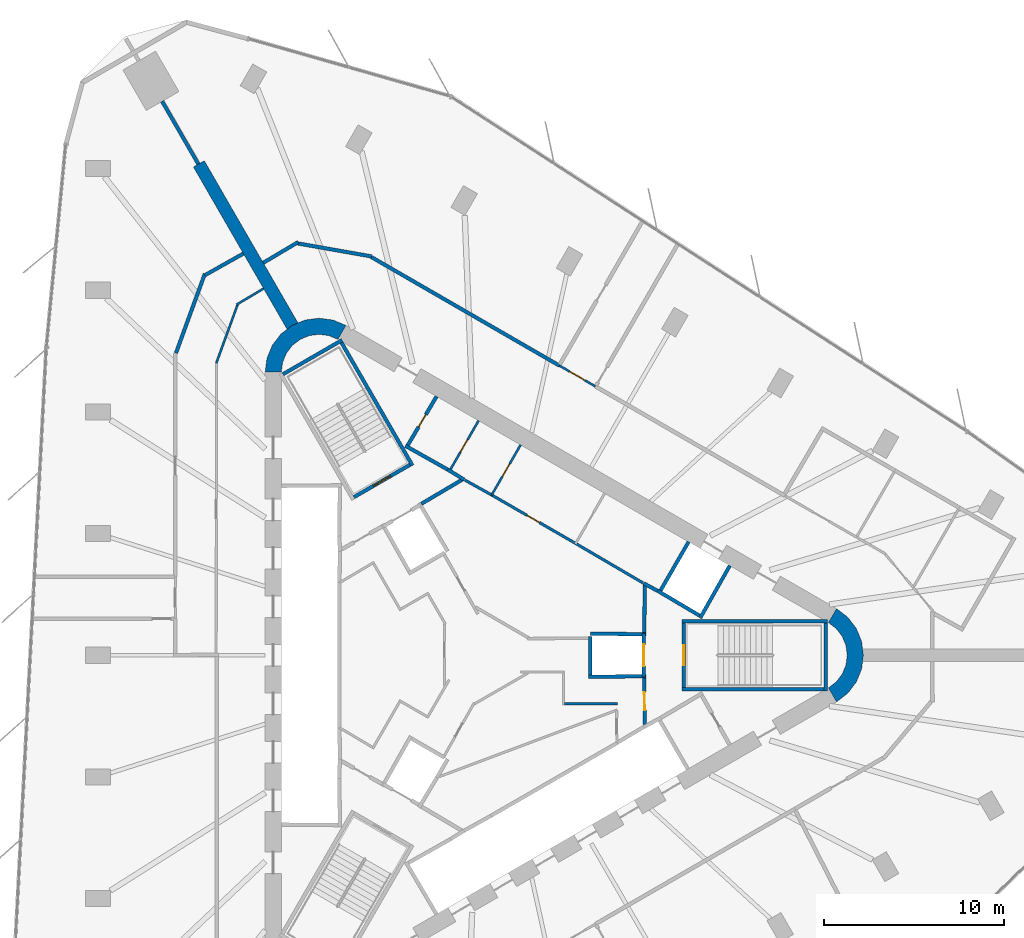
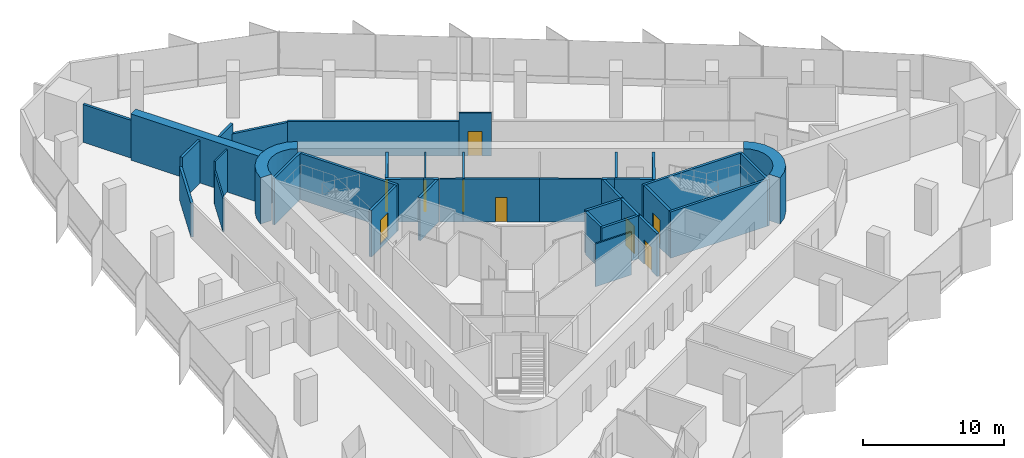
# One storey, part 11 of 14: 39 walls, 9 doors, 9 openings.
"""IFC4 building model written with IfcOpenShell, lengths in metres."""

import ifcopenshell
import ifcopenshell.guid

model = None  # the IFC model being written
_history = None  # IfcOwnerHistory: only IFC2X3 demands one
_inside = {}  # id of a spatial element -> (the spatial element, [elements in it])
_under = {}  # id of a project, library or spatial element -> (it, [spatial elements below it])
_declared = {}  # id of a project -> (the project, [libraries it declares])
_typed = {}  # id of a type object -> (the type object, [elements of that type])
_made_of = {}  # id of a material, layer set ... -> (it, [elements and type objects made of it])


def new_model(schema):
    """Start an empty IFC model of exactly this schema.

    Asked for "IFC4X3", IfcOpenShell would pick the latest addendum, in which some entities
    have other attributes; the version numbers below select the first issue.
    IFC2X3 requires an IfcOwnerHistory on every rooted entity: one is made here for all.
    """
    global model, _history
    if schema == "IFC4X3":
        model = ifcopenshell.file(schema_version=(4, 3, 0, 0))
    else:
        model = ifcopenshell.file(schema=schema)
    _inside.clear()
    _under.clear()
    _declared.clear()
    _typed.clear()
    _made_of.clear()
    _history = None
    if model.schema == "IFC2X3":
        org = make("IfcOrganization", Name="unknown")
        user = make(
            "IfcPersonAndOrganization",
            ThePerson=make("IfcPerson", FamilyName="unknown"),
            TheOrganization=org,
        )
        app = make(
            "IfcApplication",
            ApplicationDeveloper=org,
            Version="unknown",
            ApplicationFullName="unknown",
            ApplicationIdentifier="unknown",
        )
        _history = make(
            "IfcOwnerHistory",
            OwningUser=user,
            OwningApplication=app,
            ChangeAction="ADDED",
            CreationDate=0,
        )
    return model


def make(cls, **values):
    """One entity of the class cls with the attributes given. An attribute that is None is left unset."""
    return model.create_entity(
        cls, **{name: value for name, value in values.items() if value is not None}
    )


def rooted(cls, **values):
    """An entity with a GlobalId (a new one), such as an element, a storey or a relation."""
    return make(cls, GlobalId=ifcopenshell.guid.new(), OwnerHistory=_history, **values)


def si_unit(unit_type, name, prefix=None):
    """IfcSIUnit, for example si_unit("LENGTHUNIT", "METRE", prefix="MILLI")."""
    return make("IfcSIUnit", UnitType=unit_type, Prefix=prefix, Name=name)


def assignment(units):
    """IfcUnitAssignment: the units of a project."""
    return None if units is None else make("IfcUnitAssignment", Units=units)


def point(xyz):
    """IfcCartesianPoint."""
    return None if xyz is None else make("IfcCartesianPoint", Coordinates=xyz)


def direction(xyz):
    """IfcDirection."""
    return None if xyz is None else make("IfcDirection", DirectionRatios=xyz)


def frame(location, z_axis=None, x_axis=None):
    """IfcAxis2Placement3D, a coordinate frame: its origin and axes. An axis left out is left unset."""
    return make(
        "IfcAxis2Placement3D",
        Location=point(location),
        Axis=direction(z_axis),
        RefDirection=direction(x_axis),
    )


def frame_2d(location, x_axis=None):
    """IfcAxis2Placement2D, a coordinate frame in the plane: its origin and x axis."""
    return make(
        "IfcAxis2Placement2D", Location=point(location), RefDirection=direction(x_axis)
    )


def origin():
    """The frame at (0, 0, 0) with its axes left unset."""
    return frame((0.0, 0.0, 0.0))


def place(relative_to, where):
    """IfcLocalPlacement: puts the frame where relative to a parent placement (None: the world)."""
    return make(
        "IfcLocalPlacement", PlacementRelTo=relative_to, RelativePlacement=where
    )


def context(
    kind, dimensions, precision=None, world=None, true_north=None, identifier=None
):
    """IfcGeometricRepresentationContext, for example the 3D "Model" context."""
    return make(
        "IfcGeometricRepresentationContext",
        ContextIdentifier=identifier,
        ContextType=kind,
        CoordinateSpaceDimension=dimensions,
        Precision=precision,
        WorldCoordinateSystem=world,
        TrueNorth=true_north,
    )


def subcontext(parent, identifier, kind, view, scale=None):
    """IfcGeometricRepresentationSubContext, for example "Body" below "Model"."""
    return make(
        "IfcGeometricRepresentationSubContext",
        ContextIdentifier=identifier,
        ContextType=kind,
        ParentContext=parent,
        TargetScale=scale,
        TargetView=view,
    )


def project(units=None, contexts=None):
    """IfcProject with its units and contexts."""
    return rooted(
        "IfcProject",
        Name="project",
        RepresentationContexts=contexts,
        UnitsInContext=assignment(units),
    )


def spatial(cls, under=None, at=None, **own):
    """A site, building, storey or space (cls), placed at a placement, below another one or the project."""
    s = rooted(cls, ObjectPlacement=at, **own)
    if under is not None:
        _under.setdefault(under.id(), (under, []))[1].append(s)
    return s


def polyline(points):
    """IfcPolyline through the points."""
    return make("IfcPolyline", Points=[point(p) for p in points])


def profile(cls, at=None, kind="AREA", **sizes):
    """A parametric profile (cls). Its sizes go by their IFC names, for example OverallWidth=200.0."""
    return make(cls, ProfileType=kind, Position=at, **sizes)


def rectangle(**sizes):
    """IfcRectangleProfileDef."""
    return profile("IfcRectangleProfileDef", **sizes)


def outline(outer, holes=None, kind="AREA"):
    """IfcArbitraryClosedProfileDef: a profile drawn as a closed curve; with holes, ...WithVoids."""
    if holes is None:
        return make("IfcArbitraryClosedProfileDef", ProfileType=kind, OuterCurve=outer)
    return make(
        "IfcArbitraryProfileDefWithVoids",
        ProfileType=kind,
        OuterCurve=outer,
        InnerCurves=holes,
    )


def extrude(swept, where, along, depth):
    """IfcExtrudedAreaSolid: the profile swept, set in the frame where, extruded along a direction by depth."""
    return make(
        "IfcExtrudedAreaSolid",
        SweptArea=swept,
        Position=where,
        ExtrudedDirection=direction(along),
        Depth=depth,
    )


def shape(context_of_items, identifier, shape_type, items):
    """IfcShapeRepresentation: the items that make up one representation, for example the "Body"."""
    return make(
        "IfcShapeRepresentation",
        ContextOfItems=context_of_items,
        RepresentationIdentifier=identifier,
        RepresentationType=shape_type,
        Items=items,
    )


def material(Name=None, Category=None):
    """IfcMaterial."""
    return make("IfcMaterial", Name=Name, Category=Category)


def layer(
    of_material, thickness, ventilated=None, Name=None, Category=None, Priority=None
):
    """IfcMaterialLayer: one layer of a wall or slab, of a material (None: an air gap)."""
    return make(
        "IfcMaterialLayer",
        Material=of_material,
        LayerThickness=thickness,
        IsVentilated=ventilated,
        Name=Name,
        Category=Category,
        Priority=Priority,
    )


def layer_set(layers, Name=None):
    """IfcMaterialLayerSet."""
    return make("IfcMaterialLayerSet", MaterialLayers=layers, LayerSetName=Name)


def made_of(thing, what):
    """Note that an element or type object is made of a material, layer set ...; save() writes the relation."""
    if what is not None:
        _made_of.setdefault(what.id(), (what, []))[1].append(thing)
    return thing


def type_object(cls, material=None, **own):
    """A type object (cls), such as IfcWallType, which elements share."""
    return made_of(rooted(cls, **own), material)


def element(
    cls,
    number,
    at=None,
    inside=None,
    cuts=None,
    type_object=None,
    material=None,
    context=None,
    identifier="Body",
    shape_type=None,
    held_by="IfcProductDefinitionShape",
    body=None,
    shapes=None,
    **own,
):
    """One element of the class cls, such as IfcWall. Its Tag is "e" and its number.

    at: its placement. inside: the storey or other place that contains it. cuts: it is an
    opening in that element (IfcRelVoidsElement). A single representation is given by context,
    identifier, shape_type and body (its items); several are given by shapes. held_by: the class
    of the entity that holds the representations. save() writes the other relations.
    """
    e = rooted(cls, Tag="e%d" % number, ObjectPlacement=at, **own)
    if body is not None:
        shapes = [shape(context, identifier, shape_type, body)]
    if shapes is not None:
        e.Representation = make(held_by, Representations=shapes)
    if inside is not None:
        _inside.setdefault(inside.id(), (inside, []))[1].append(e)
    if cuts is not None:
        rooted(
            "IfcRelVoidsElement", RelatingBuildingElement=cuts, RelatedOpeningElement=e
        )
    if type_object is not None:
        _typed.setdefault(type_object.id(), (type_object, []))[1].append(e)
    return made_of(e, material)


def fill(opening, filler):
    """IfcRelFillsElement: the door or window that sits in an opening."""
    return rooted(
        "IfcRelFillsElement",
        RelatingOpeningElement=opening,
        RelatedBuildingElement=filler,
    )


def aggregate(whole, parts):
    """IfcRelAggregates: a whole, such as a stair, and the parts it consists of."""
    return rooted("IfcRelAggregates", RelatingObject=whole, RelatedObjects=parts)


def save(model, path):
    """Write the relations noted so far, then the file.

    IfcRelAggregates (storeys below a building ...), IfcRelContainedInSpatialStructure (elements
    in a storey), IfcRelDefinesByType, IfcRelAssociatesMaterial and IfcRelDeclares: one each for
    every whole, place, type object, material and project.
    """
    for whole, parts in _under.values():
        aggregate(whole, parts)
    for where, things in _inside.values():
        rooted(
            "IfcRelContainedInSpatialStructure",
            RelatedElements=things,
            RelatingStructure=where,
        )
    for kind, things in _typed.values():
        rooted("IfcRelDefinesByType", RelatedObjects=things, RelatingType=kind)
    for what, things in _made_of.values():
        rooted("IfcRelAssociatesMaterial", RelatedObjects=things, RelatingMaterial=what)
    for by, libraries in _declared.values():
        rooted("IfcRelDeclares", RelatingContext=by, RelatedDefinitions=libraries)
    model.write(path)


model = new_model("IFC4")

# Units and contexts
model_context = context("Model", 3, precision=1e-05, world=origin(), true_north=direction((0.0, 1.0)))
body_context = subcontext(model_context, "Body", "Model", "MODEL_VIEW")
ifc_project = project(units=[si_unit("LENGTHUNIT", "METRE"), si_unit("AREAUNIT", "SQUARE_METRE"), si_unit("VOLUMEUNIT", "CUBIC_METRE"), si_unit("PLANEANGLEUNIT", "RADIAN"), si_unit("MASSUNIT", "GRAM", prefix="KILO")], contexts=[model_context])

# Site, building, storey
site_placement = place(None, origin())
site = spatial("IfcSite", under=ifc_project, at=site_placement, CompositionType="ELEMENT")
building_placement = place(site_placement, origin())
building = spatial("IfcBuilding", under=site, at=building_placement, Name="Tanit Gate Tower", CompositionType="ELEMENT")
storey_placement = place(building_placement, frame((0.0, 0.0, 261.199951171875)))
storey = spatial("IfcBuildingStorey", under=building, at=storey_placement, Name="L59", CompositionType="ELEMENT", Elevation=261.199951171875)

# Walls
ifc_material_1 = material(Name="Concrete C50/60", Category="concrete")
ifc_layer_1 = layer(ifc_material_1, 0.699951171875)
ifc_layer_set_1 = layer_set([ifc_layer_1], Name="BUTTRESS FIN 700 C50/60")
wall_type_1 = type_object("IfcWallType", Name="BUTTRESS FIN 700 C50/60", PredefinedType="SHEAR", material=ifc_layer_set_1)
wall_1_placement = place(storey_placement, frame((-10.574951171875, 18.31640625, 0.0), z_axis=(0.0, 0.0, 1.0), x_axis=(-0.500010108608, 0.866019567498, 0.0)))
element("IfcWall", 1, at=wall_1_placement, inside=storey, type_object=wall_type_1, Name="BUTTRESS FIN", PredefinedType="SHEAR", context=body_context, shape_type="SweptSolid", body=[
    extrude(rectangle(XDim=10.432373046875, YDim=0.699951171875, at=frame_2d((5.21630859375, 0.0))), origin(), (0.0, 0.0, 1.0), 4.0),
])
ifc_material_2 = material(Name="Concrete C50/60", Category="concrete")
ifc_layer_2 = layer(ifc_material_2, 0.89990234375)
ifc_layer_set_2 = layer_set([ifc_layer_2], Name="CORE WALL 900 C50/60")
wall_type_2 = type_object("IfcWallType", Name="CORE WALL 900 C50/60", PredefinedType="SHEAR", material=ifc_layer_set_2)
wall_2_placement = place(storey_placement, origin())
element("IfcWall", 2, at=wall_2_placement, inside=storey, type_object=wall_type_2, Name="CORE WALL CORNER", PredefinedType="SHEAR", context=body_context, shape_type="SweptSolid", body=[
    extrude(outline(polyline([(-7.60009765625, 18.359619140625), (-8.323486328125, 18.659423828125), (-9.10009765625, 18.76171875), (-9.87646484375, 18.659423828125), (-10.60009765625, 18.359619140625), (-11.22119140625, 17.883056640625), (-11.697998046875, 17.26171875), (-11.997802734375, 16.5380859375), (-12.10009765625, 15.76171875), (-11.199951171875, 15.76171875), (-11.12841796875, 16.30517578125), (-10.918701171875, 16.811767578125), (-10.5849609375, 17.24658203125), (-10.14990234375, 17.580322265625), (-9.6435546875, 17.7900390625), (-9.10009765625, 17.86181640625), (-8.556396484375, 17.7900390625), (-8.050048828125, 17.580322265625), (-7.60009765625, 18.359619140625)])), origin(), (0.0, 0.0, 1.0), 4.0),
])
wall_3_placement = place(storey_placement, origin())
element("IfcWall", 3, at=wall_3_placement, inside=storey, type_object=wall_type_2, Name="CORE WALL CORNER", PredefinedType="SHEAR", context=body_context, shape_type="SweptSolid", body=[
    extrude(outline(polyline([(19.699951171875, -2.59814453125), (20.3212890625, -2.121337890625), (20.798095703125, -1.5), (21.097900390625, -0.776611328125), (21.199951171875, 0.0), (21.097900390625, 0.776611328125), (20.798095703125, 1.5), (20.3212890625, 2.121337890625), (19.699951171875, 2.59814453125), (19.25, 1.818603515625), (19.684814453125, 1.48486328125), (20.018798828125, 1.050048828125), (20.228515625, 0.54345703125), (20.300048828125, 0.0), (20.228515625, -0.54345703125), (20.018798828125, -1.050048828125), (19.684814453125, -1.48486328125), (19.25, -1.818603515625), (19.699951171875, -2.59814453125)])), origin(), (0.0, 0.0, 1.0), 4.0),
])
ifc_material_3 = material(Name="Fire-rated gypsum board partition")
ifc_layer_3 = layer(ifc_material_3, 0.199951171875)
ifc_layer_set_3 = layer_set([ifc_layer_3], Name="INT-WALL-COMPARTMENT")
wall_type_3 = type_object("IfcWallType", Name="INT-WALL-COMPARTMENT", PredefinedType="PARTITIONING", material=ifc_layer_set_3)
wall_4_placement = place(storey_placement, frame((8.97412109375, 3.998779296875, 0.0), z_axis=(0.0, 0.0, 1.0), x_axis=(0.880917147855, -0.473270513147, 0.0)))
element("IfcWall", 4, at=wall_4_placement, inside=storey, type_object=wall_type_3, Name="Wall Compartment W051", PredefinedType="PARTITIONING", context=body_context, shape_type="SweptSolid", body=[
    extrude(rectangle(XDim=0.8779296875, YDim=0.199951171875, at=frame_2d((0.43896484375, 0.0))), origin(), (0.0, 0.0, 1.0), 3.699951171875),
])
wall_5_placement = place(storey_placement, frame((-1.940673828125, 10.338623046875, 0.0), z_axis=(0.0, 0.0, 1.0), x_axis=(0.850216889117, -0.526432561171, 0.0)))
element("IfcWall", 5, at=wall_5_placement, inside=storey, type_object=wall_type_3, Name="Wall Compartment W056", PredefinedType="PARTITIONING", context=body_context, shape_type="SweptSolid", body=[
    extrude(rectangle(XDim=1.078369140625, YDim=0.199951171875, at=frame_2d((0.5390625, 0.0))), origin(), (0.0, 0.0, 1.0), 3.699951171875),
])
wall_6_placement = place(storey_placement, frame((-4.296142578125, 11.658935546875, 0.0), z_axis=(0.0, 0.0, 1.0), x_axis=(0.871534483978, -0.490334215854, 0.0)))
element("IfcWall", 6, at=wall_6_placement, inside=storey, type_object=wall_type_3, Name="Wall Compartment W058", PredefinedType="PARTITIONING", context=body_context, shape_type="SweptSolid", body=[
    extrude(rectangle(XDim=2.7001953125, YDim=0.199951171875, at=frame_2d((1.35009765625, 0.0))), origin(), (0.0, 0.0, 1.0), 3.699951171875),
])

# Wall, opening, door
wall_7_placement = place(storey_placement, frame((-2.557861328125, 14.409423828125, 0.0), z_axis=(0.0, 0.0, 1.0), x_axis=(-0.508018930956, -0.861345903683, 0.0)))
wall_7 = element("IfcWall", 7, at=wall_7_placement, inside=storey, type_object=wall_type_3, Name="Wall Compartment W059", PredefinedType="PARTITIONING", context=body_context, shape_type="SweptSolid", body=[
    extrude(rectangle(XDim=3.150146484375, YDim=0.199951171875, at=frame_2d((1.5751953125, 0.0))), origin(), (0.0, 0.0, 1.0), 3.699951171875),
])
opening_1_placement = place(wall_7_placement, frame((1.175048828125, 0.0, 0.0)))
opening_1 = element("IfcOpeningElement", 8, at=opening_1_placement, cuts=wall_7, Name="Opening R08-S16-16", PredefinedType="OPENING", context=body_context, shape_type="SweptSolid", body=[
    extrude(rectangle(XDim=0.800048828125, YDim=2.10009765625, at=frame_2d((0.39990234375, 1.050048828125))), frame((0.0, 0.10986328125, 0.0), z_axis=(0.0, -1.0, 0.0), x_axis=(1.0, 0.0, 0.0)), (0.0, 0.0, 1.0), 0.219970703125),
])
ifc_material_4 = material(Name="Timber door leaf", Category="wood")
door_type_1 = type_object("IfcDoorType", Name="INT-DOOR-RISER-800", OperationType="NOTDEFINED", PredefinedType="USERDEFINED", material=ifc_material_4)
door_1_placement = place(opening_1_placement, origin())
door_1 = element("IfcDoor", 9, at=door_1_placement, inside=storey, type_object=door_type_1, Name="Door R08-S16-16", ObjectType="FIRE DOOR", OperationType="SINGLE_SWING_LEFT", OverallHeight=2.10009765625, OverallWidth=0.800048828125, PredefinedType="USERDEFINED", context=body_context, shape_type="SweptSolid", body=[
    extrude(rectangle(XDim=0.800048828125, YDim=2.10009765625, at=frame_2d((0.39990234375, 1.050048828125))), frame((0.0, 0.02490234375, 0.0), z_axis=(0.0, -1.0, 0.0), x_axis=(1.0, 0.0, 0.0)), (0.0, 0.0, 1.0), 0.050048828125),
])
fill(opening_1, door_1)

# Wall
wall_8_placement = place(storey_placement, frame((9.0009765625, 1.27001953125, 0.0), z_axis=(0.0, 0.0, 1.0), x_axis=(0.01074821465, 0.999942236273, 0.0)))
element("IfcWall", 10, at=wall_8_placement, inside=storey, type_object=wall_type_3, Name="Wall Compartment W062", PredefinedType="PARTITIONING", context=body_context, shape_type="SweptSolid", body=[
    extrude(rectangle(XDim=2.725830078125, YDim=0.199951171875, at=frame_2d((1.36279296875, 0.0))), origin(), (0.0, 0.0, 1.0), 3.699951171875),
])

# Wall, opening, door
wall_9_placement = place(storey_placement, frame((9.02880859375, -3.850830078125, 0.0), z_axis=(0.0, 0.0, 1.0), x_axis=(-0.010783593937, 0.99994185536, 0.0)))
wall_9 = element("IfcWall", 11, at=wall_9_placement, inside=storey, type_object=wall_type_3, Name="Wall Compartment W063", PredefinedType="PARTITIONING", context=body_context, shape_type="SweptSolid", body=[
    extrude(rectangle(XDim=2.5810546875, YDim=0.199951171875, at=frame_2d((1.29052734375, 0.0))), origin(), (0.0, 0.0, 1.0), 3.699951171875),
])
opening_2_placement = place(wall_9_placement, frame((0.79052734375, 0.0, 0.0)))
opening_2 = element("IfcOpeningElement", 12, at=opening_2_placement, cuts=wall_9, Name="Opening F10-S16-02", PredefinedType="OPENING", context=body_context, shape_type="SweptSolid", body=[
    extrude(rectangle(XDim=1.0, YDim=2.10009765625, at=frame_2d((0.5, 1.050048828125))), frame((0.0, 0.10986328125, 0.0), z_axis=(0.0, -1.0, 0.0), x_axis=(1.0, 0.0, 0.0)), (0.0, 0.0, 1.0), 0.219970703125),
])
ifc_material_5 = material(Name="Fire-rated steel door leaf", Category="steel")
door_type_2 = type_object("IfcDoorType", Name="INT-DOOR-FIRE-1000", OperationType="NOTDEFINED", PredefinedType="USERDEFINED", material=ifc_material_5)
door_2_placement = place(opening_2_placement, origin())
door_2 = element("IfcDoor", 13, at=door_2_placement, inside=storey, type_object=door_type_2, Name="Door F10-S16-02", ObjectType="FIRE DOOR", OperationType="SINGLE_SWING_RIGHT", OverallHeight=2.10009765625, OverallWidth=1.0, PredefinedType="USERDEFINED", context=body_context, shape_type="SweptSolid", body=[
    extrude(rectangle(XDim=1.0, YDim=2.10009765625, at=frame_2d((0.5, 1.050048828125))), frame((0.0, 0.02490234375, 0.0), z_axis=(0.0, -1.0, 0.0), x_axis=(1.0, 0.0, 0.0)), (0.0, 0.0, 1.0), 0.050048828125),
])
fill(opening_2, door_2)

# Walls
wall_10_placement = place(storey_placement, frame((-1.0556640625, 9.81787109375, 0.0), z_axis=(0.0, 0.0, 1.0), x_axis=(-0.860599924646, -0.509281621207, 0.0)))
element("IfcWall", 14, at=wall_10_placement, inside=storey, type_object=wall_type_3, Name="Wall Compartment W064", PredefinedType="PARTITIONING", context=body_context, shape_type="SweptSolid", body=[
    extrude(rectangle(XDim=2.724853515625, YDim=0.199951171875, at=frame_2d((1.3623046875, 0.0))), origin(), (0.0, 0.0, 1.0), 3.699951171875),
])
wall_11_placement = place(storey_placement, frame((-15.456298828125, 21.238525390625, 0.0), z_axis=(0.0, 0.0, 1.0), x_axis=(-0.34205546997, -0.939679762187, 0.0)))
element("IfcWall", 15, at=wall_11_placement, inside=storey, type_object=wall_type_3, Name="Wall Compartment W094", PredefinedType="PARTITIONING", context=body_context, shape_type="SweptSolid", body=[
    extrude(rectangle(XDim=4.705810546875, YDim=0.199951171875, at=frame_2d((2.35302734375, 0.0))), origin(), (0.0, 0.0, 1.0), 2.880126953125),
])
wall_12_placement = place(storey_placement, frame((-13.31298828125, 22.35888671875, 0.0), z_axis=(0.0, 0.0, 1.0), x_axis=(-0.87121710687, -0.490897904555, 0.0)))
element("IfcWall", 16, at=wall_12_placement, inside=storey, type_object=wall_type_3, Name="Wall Compartment W095", PredefinedType="PARTITIONING", context=body_context, shape_type="SweptSolid", body=[
    extrude(rectangle(XDim=2.457275390625, YDim=0.199951171875, at=frame_2d((1.228515625, 0.0))), origin(), (0.0, 0.0, 1.0), 3.699951171875),
])
wall_13_placement = place(storey_placement, frame((-10.26513671875, 22.995849609375, 0.0), z_axis=(0.0, 0.0, 1.0), x_axis=(-0.859934823121, -0.510403859687, 0.0)))
element("IfcWall", 17, at=wall_13_placement, inside=storey, type_object=wall_type_3, Name="Wall Compartment W100", PredefinedType="PARTITIONING", context=body_context, shape_type="SweptSolid", body=[
    extrude(rectangle(XDim=2.25830078125, YDim=0.199951171875, at=frame_2d((1.129150390625, 0.0))), origin(), (0.0, 0.0, 1.0), 3.699951171875),
])
wall_14_placement = place(storey_placement, frame((-6.18115234375, 22.19873046875, 0.0), z_axis=(0.0, 0.0, 1.0), x_axis=(-0.984807544765, 0.17364935869, 0.0)))
element("IfcWall", 18, at=wall_14_placement, inside=storey, type_object=wall_type_3, Name="Wall Compartment W101", PredefinedType="PARTITIONING", context=body_context, shape_type="SweptSolid", body=[
    extrude(rectangle(XDim=4.199462890625, YDim=0.199951171875, at=frame_2d((2.099609375, 0.0))), origin(), (0.0, 0.0, 1.0), 2.880126953125),
])
wall_15_placement = place(storey_placement, frame((4.28271484375, 16.117919921875, 0.0), z_axis=(0.0, 0.0, 1.0), x_axis=(-0.866016186489, 0.500015964484, 0.0)))
element("IfcWall", 19, at=wall_15_placement, inside=storey, type_object=wall_type_3, Name="Wall Compartment W102", PredefinedType="PARTITIONING", context=body_context, shape_type="SweptSolid", body=[
    extrude(rectangle(XDim=12.09619140625, YDim=0.199951171875, at=frame_2d((6.048095703125, 0.0))), origin(), (0.0, 0.0, 1.0), 2.97998046875),
])
wall_16_placement = place(storey_placement, frame((-17.8359375, 30.832763671875, 0.0), z_axis=(0.0, 0.0, 1.0), x_axis=(0.500008591458, -0.866020443447, 0.0)))
element("IfcWall", 20, at=wall_16_placement, inside=storey, type_object=wall_type_3, Name="Wall Compartment W125", PredefinedType="PARTITIONING", context=body_context, shape_type="SweptSolid", body=[
    extrude(rectangle(XDim=4.03759765625, YDim=0.199951171875, at=frame_2d((2.018798828125, 0.0))), origin(), (0.0, 0.0, 1.0), 3.27001953125),
])

# Wall, opening, door
ifc_material_6 = material(Name="Gypsum board partition")
ifc_layer_4 = layer(ifc_material_6, 0.1201171875)
ifc_layer_set_4 = layer_set([ifc_layer_4], Name="INT-WALL-PARTITION")
wall_type_4 = type_object("IfcWallType", Name="INT-WALL-PARTITION", PredefinedType="PARTITIONING", material=ifc_layer_set_4)
wall_17_placement = place(storey_placement, frame((2.11865234375, 11.70947265625, 0.0), z_axis=(0.0, 0.0, 1.0), x_axis=(-0.500017246033, -0.866015446554, 0.0)))
wall_17 = element("IfcWall", 21, at=wall_17_placement, inside=storey, type_object=wall_type_4, Name="Wall Partition W053", PredefinedType="PARTITIONING", context=body_context, shape_type="SweptSolid", body=[
    extrude(rectangle(XDim=3.25, YDim=0.1201171875, at=frame_2d((1.625, 0.0))), origin(), (0.0, 0.0, 1.0), 3.699951171875),
])
opening_3_placement = place(wall_17_placement, frame((1.22509765625, 0.0, 0.0)))
opening_3 = element("IfcOpeningElement", 22, at=opening_3_placement, cuts=wall_17, Name="Opening R08-S16-15", PredefinedType="OPENING", context=body_context, shape_type="SweptSolid", body=[
    extrude(rectangle(XDim=0.800048828125, YDim=2.10009765625, at=frame_2d((0.39990234375, 1.050048828125))), frame((0.0, 0.070068359375, 0.0), z_axis=(0.0, -1.0, 0.0), x_axis=(1.0, 0.0, 0.0)), (0.0, 0.0, 1.0), 0.14013671875),
])
door_3_placement = place(opening_3_placement, origin())
door_3 = element("IfcDoor", 23, at=door_3_placement, inside=storey, type_object=door_type_1, Name="Door R08-S16-15", ObjectType="FIRE DOOR", OperationType="SINGLE_SWING_RIGHT", OverallHeight=2.10009765625, OverallWidth=0.800048828125, PredefinedType="USERDEFINED", context=body_context, shape_type="SweptSolid", body=[
    extrude(rectangle(XDim=0.800048828125, YDim=2.10009765625, at=frame_2d((0.39990234375, 1.050048828125))), frame((0.0, 0.02490234375, 0.0), z_axis=(0.0, -1.0, 0.0), x_axis=(1.0, 0.0, 0.0)), (0.0, 0.0, 1.0), 0.050048828125),
])
fill(opening_3, door_3)

wall_18_placement = place(storey_placement, frame((-0.2197265625, 13.0595703125, 0.0), z_axis=(0.0, 0.0, 1.0), x_axis=(-0.499984717929, -0.866034226713, 0.0)))
wall_18 = element("IfcWall", 24, at=wall_18_placement, inside=storey, type_object=wall_type_4, Name="Wall Partition W055", PredefinedType="PARTITIONING", context=body_context, shape_type="SweptSolid", body=[
    extrude(rectangle(XDim=3.25, YDim=0.1201171875, at=frame_2d((1.625, 0.0))), origin(), (0.0, 0.0, 1.0), 3.699951171875),
])
opening_4_placement = place(wall_18_placement, frame((1.22509765625, 0.0, 0.0)))
opening_4 = element("IfcOpeningElement", 25, at=opening_4_placement, cuts=wall_18, Name="Opening R08-S16-37", PredefinedType="OPENING", context=body_context, shape_type="SweptSolid", body=[
    extrude(rectangle(XDim=0.800048828125, YDim=2.10009765625, at=frame_2d((0.39990234375, 1.050048828125))), frame((0.0, 0.070068359375, 0.0), z_axis=(0.0, -1.0, 0.0), x_axis=(1.0, 0.0, 0.0)), (0.0, 0.0, 1.0), 0.14013671875),
])
door_4_placement = place(opening_4_placement, origin())
door_4 = element("IfcDoor", 26, at=door_4_placement, inside=storey, type_object=door_type_1, Name="Door R08-S16-37", ObjectType="FIRE DOOR", OperationType="SINGLE_SWING_LEFT", OverallHeight=2.10009765625, OverallWidth=0.800048828125, PredefinedType="USERDEFINED", context=body_context, shape_type="SweptSolid", body=[
    extrude(rectangle(XDim=0.800048828125, YDim=2.10009765625, at=frame_2d((0.39990234375, 1.050048828125))), frame((0.0, 0.02490234375, 0.0), z_axis=(0.0, -1.0, 0.0), x_axis=(1.0, 0.0, 0.0)), (0.0, 0.0, 1.0), 0.050048828125),
])
fill(opening_4, door_4)

# Walls
wall_19_placement = place(storey_placement, frame((7.5, -2.699951171875, 0.0), z_axis=(0.0, 0.0, 1.0), x_axis=(-1.0, 0.0, 0.0)))
element("IfcWall", 27, at=wall_19_placement, inside=storey, type_object=wall_type_4, Name="Wall Partition W076", PredefinedType="PARTITIONING", context=body_context, shape_type="SweptSolid", body=[
    extrude(rectangle(XDim=2.93994140625, YDim=0.1201171875, at=frame_2d((1.469970703125, 0.0))), origin(), (0.0, 0.0, 1.0), 3.699951171875),
])
wall_20_placement = place(storey_placement, frame((-12.188720703125, 20.411376953125, 0.0), z_axis=(0.0, 0.0, 1.0), x_axis=(-0.858492721014, -0.51282574815, 0.0)))
element("IfcWall", 28, at=wall_20_placement, inside=storey, type_object=wall_type_4, Name="Wall Partition W087", PredefinedType="PARTITIONING", context=body_context, shape_type="SweptSolid", body=[
    extrude(rectangle(XDim=1.742431640625, YDim=0.1201171875, at=frame_2d((0.87109375, 0.0))), origin(), (0.0, 0.0, 1.0), 3.699951171875),
])
wall_21_placement = place(storey_placement, frame((-13.630615234375, 19.529541015625, 0.0), z_axis=(0.0, 0.0, 1.0), x_axis=(-0.342069878069, -0.939674517329, 0.0)))
element("IfcWall", 29, at=wall_21_placement, inside=storey, type_object=wall_type_4, Name="Wall Partition W088", PredefinedType="PARTITIONING", context=body_context, shape_type="SweptSolid", body=[
    extrude(rectangle(XDim=3.478759765625, YDim=0.1201171875, at=frame_2d((1.7392578125, 0.0))), origin(), (0.0, 0.0, 1.0), 2.880126953125),
])

# Wall, opening, door
wall_22_placement = place(storey_placement, frame((6.274658203125, 14.968017578125, 0.0), z_axis=(0.0, 0.0, 1.0), x_axis=(-0.866053019151, 0.499952165731, 0.0)))
wall_22 = element("IfcWall", 30, at=wall_22_placement, inside=storey, type_object=wall_type_4, Name="Wall Partition W099", PredefinedType="PARTITIONING", context=body_context, shape_type="SweptSolid", body=[
    extrude(rectangle(XDim=2.300048828125, YDim=0.1201171875, at=frame_2d((1.14990234375, 0.0))), origin(), (0.0, 0.0, 1.0), 3.699951171875),
])
opening_5_placement = place(wall_22_placement, frame((0.64990234375, 0.0, 0.0)))
opening_5 = element("IfcOpeningElement", 31, at=opening_5_placement, cuts=wall_22, Name="Opening D10-S16-21", PredefinedType="OPENING", context=body_context, shape_type="SweptSolid", body=[
    extrude(rectangle(XDim=1.0, YDim=2.10009765625, at=frame_2d((0.5, 1.050048828125))), frame((0.0, 0.070068359375, 0.0), z_axis=(0.0, -1.0, 0.0), x_axis=(1.0, 0.0, 0.0)), (0.0, 0.0, 1.0), 0.14013671875),
])
ifc_material_7 = material(Name="Timber door leaf", Category="wood")
door_type_3 = type_object("IfcDoorType", Name="INT-DOOR-SINGLE-1000", OperationType="NOTDEFINED", PredefinedType="NOTDEFINED", material=ifc_material_7)
door_5_placement = place(opening_5_placement, origin())
door_5 = element("IfcDoor", 32, at=door_5_placement, inside=storey, type_object=door_type_3, Name="Door D10-S16-21", OperationType="SINGLE_SWING_RIGHT", OverallHeight=2.10009765625, OverallWidth=1.0, PredefinedType="NOTDEFINED", context=body_context, shape_type="SweptSolid", body=[
    extrude(rectangle(XDim=1.0, YDim=2.10009765625, at=frame_2d((0.5, 1.050048828125))), frame((0.0, 0.02490234375, 0.0), z_axis=(0.0, -1.0, 0.0), x_axis=(1.0, 0.0, 0.0)), (0.0, 0.0, 1.0), 0.050048828125),
])
fill(opening_5, door_5)

# Wall
ifc_material_8 = material(Name="Fire-rated gypsum board partition")
ifc_layer_5 = layer(ifc_material_8, 0.14990234375)
ifc_layer_set_5 = layer_set([ifc_layer_5], Name="INT-WALL-RISER")
wall_type_5 = type_object("IfcWallType", Name="INT-WALL-RISER", PredefinedType="PLUMBINGWALL", material=ifc_layer_set_5)
wall_23_placement = place(storey_placement, frame((8.9306640625, 4.024658203125, 0.0), z_axis=(0.0, 0.0, 1.0), x_axis=(-0.862666884027, 0.505772525157, 0.0)))
element("IfcWall", 33, at=wall_23_placement, inside=storey, type_object=wall_type_5, Name="Wall Riser W052", PredefinedType="PLUMBINGWALL", context=body_context, shape_type="SweptSolid", body=[
    extrude(rectangle(XDim=4.371826171875, YDim=0.14990234375, at=frame_2d((2.18603515625, 0.0))), origin(), (0.0, 0.0, 1.0), 3.699951171875),
])

# Wall, opening, door
wall_24_placement = place(storey_placement, frame((5.1591796875, 6.23583984375, 0.0), z_axis=(0.0, 0.0, 1.0), x_axis=(-0.866028230842, 0.499995103361, 0.0)))
wall_24 = element("IfcWall", 34, at=wall_24_placement, inside=storey, type_object=wall_type_5, Name="Wall Riser W054", PredefinedType="PLUMBINGWALL", context=body_context, shape_type="SweptSolid", body=[
    extrude(rectangle(XDim=5.39990234375, YDim=0.14990234375, at=frame_2d((2.699951171875, 0.0))), origin(), (0.0, 0.0, 1.0), 3.699951171875),
])
opening_6_placement = place(wall_24_placement, frame((2.300048828125, 0.0, 0.0)))
opening_6 = element("IfcOpeningElement", 35, at=opening_6_placement, cuts=wall_24, Name="Opening R08-S16-18", PredefinedType="OPENING", context=body_context, shape_type="SweptSolid", body=[
    extrude(rectangle(XDim=0.800048828125, YDim=2.10009765625, at=frame_2d((0.39990234375, 1.050048828125))), frame((0.0, 0.0849609375, 0.0), z_axis=(0.0, -1.0, 0.0), x_axis=(1.0, 0.0, 0.0)), (0.0, 0.0, 1.0), 0.169921875),
])
door_6_placement = place(opening_6_placement, origin())
door_6 = element("IfcDoor", 36, at=door_6_placement, inside=storey, type_object=door_type_1, Name="Door R08-S16-18", ObjectType="FIRE DOOR", OperationType="SINGLE_SWING_RIGHT", OverallHeight=2.10009765625, OverallWidth=0.800048828125, PredefinedType="USERDEFINED", context=body_context, shape_type="SweptSolid", body=[
    extrude(rectangle(XDim=0.800048828125, YDim=2.10009765625, at=frame_2d((0.39990234375, 1.050048828125))), frame((0.0, 0.02490234375, 0.0), z_axis=(0.0, -1.0, 0.0), x_axis=(1.0, 0.0, 0.0)), (0.0, 0.0, 1.0), 0.050048828125),
])
fill(opening_6, door_6)

# Walls
wall_25_placement = place(storey_placement, frame((0.482666015625, 8.935791015625, 0.0), z_axis=(0.0, 0.0, 1.0), x_axis=(-0.874315691004, 0.485357674776, 0.0)))
element("IfcWall", 37, at=wall_25_placement, inside=storey, type_object=wall_type_5, Name="Wall Riser W057", PredefinedType="PLUMBINGWALL", context=body_context, shape_type="SweptSolid", body=[
    extrude(rectangle(XDim=1.67138671875, YDim=0.14990234375, at=frame_2d((0.835693359375, 0.0))), origin(), (0.0, 0.0, 1.0), 3.699951171875),
])
ifc_material_9 = material(Name="Gypsum shaft wall system")
ifc_layer_6 = layer(ifc_material_9, 0.199951171875)
ifc_layer_set_6 = layer_set([ifc_layer_6], Name="INT-WALL-SHAFT")
wall_type_6 = type_object("IfcWallType", Name="INT-WALL-SHAFT", PredefinedType="PLUMBINGWALL", material=ifc_layer_set_6)
wall_26_placement = place(storey_placement, frame((9.8466796875, 3.494873046875, 0.0), z_axis=(0.0, 0.0, 1.0), x_axis=(0.499984717929, 0.866034226713, 0.0)))
element("IfcWall", 38, at=wall_26_placement, inside=storey, type_object=wall_type_6, Name="Wall Shaft W012", PredefinedType="PLUMBINGWALL", context=body_context, shape_type="SweptSolid", body=[
    extrude(rectangle(XDim=3.25, YDim=0.199951171875, at=frame_2d((1.625, 0.0))), origin(), (0.0, 0.0, 1.0), 3.699951171875),
])
wall_27_placement = place(storey_placement, frame((12.10986328125, 2.07275390625, 0.0), z_axis=(0.0, 0.0, 1.0), x_axis=(0.49196600604, 0.870614408852, 0.0)))
element("IfcWall", 39, at=wall_27_placement, inside=storey, type_object=wall_type_6, Name="Wall Shaft W013", PredefinedType="PLUMBINGWALL", context=body_context, shape_type="SweptSolid", body=[
    extrude(rectangle(XDim=3.35009765625, YDim=0.199951171875, at=frame_2d((1.675048828125, 0.0))), origin(), (0.0, 0.0, 1.0), 3.699951171875),
])
wall_28_placement = place(storey_placement, frame((12.072998046875, 2.2109375, 0.0), z_axis=(0.0, 0.0, 1.0), x_axis=(-0.860414880418, 0.509594185166, 0.0)))
element("IfcWall", 40, at=wall_28_placement, inside=storey, type_object=wall_type_6, Name="Wall Shaft W014", PredefinedType="PLUMBINGWALL", context=body_context, shape_type="SweptSolid", body=[
    extrude(rectangle(XDim=2.7001953125, YDim=0.199951171875, at=frame_2d((1.35009765625, 0.0))), origin(), (0.0, 0.0, 1.0), 3.699951171875),
])

# Wall, opening, door
wall_29_placement = place(storey_placement, frame((8.969970703125, 1.199951171875, 0.0), z_axis=(0.0, 0.0, 1.0), x_axis=(0.0, -1.0, 0.0)))
wall_29 = element("IfcWall", 41, at=wall_29_placement, inside=storey, type_object=wall_type_6, Name="Wall Shaft W029", PredefinedType="PLUMBINGWALL", context=body_context, shape_type="SweptSolid", body=[
    extrude(rectangle(XDim=2.39990234375, YDim=0.199951171875, at=frame_2d((1.199951171875, 0.0))), origin(), (0.0, 0.0, 1.0), 3.699951171875),
])
opening_7_placement = place(wall_29_placement, frame((0.60009765625, 0.0, 0.0)))
opening_7 = element("IfcOpeningElement", 42, at=opening_7_placement, cuts=wall_29, Name="Opening LDFL1-L59", PredefinedType="OPENING", context=body_context, shape_type="SweptSolid", body=[
    extrude(rectangle(XDim=1.199951171875, YDim=2.39990234375, at=frame_2d((0.60009765625, 1.199951171875))), frame((0.0, 0.10986328125, 0.0), z_axis=(0.0, -1.0, 0.0), x_axis=(1.0, 0.0, 0.0)), (0.0, 0.0, 1.0), 0.219970703125),
])
ifc_material_10 = material(Name="Stainless steel sliding door leaf", Category="steel")
door_type_4 = type_object("IfcDoorType", Name="INT-DOOR-LANDING-1200", OperationType="NOTDEFINED", PredefinedType="USERDEFINED", material=ifc_material_10)
door_7_placement = place(opening_7_placement, origin())
door_7 = element("IfcDoor", 43, at=door_7_placement, inside=storey, type_object=door_type_4, Name="Door LDFL1-L59", ObjectType="LANDING DOOR", OperationType="SLIDING_TO_LEFT", OverallHeight=2.39990234375, OverallWidth=1.199951171875, PredefinedType="USERDEFINED", context=body_context, shape_type="SweptSolid", body=[
    extrude(rectangle(XDim=1.199951171875, YDim=2.39990234375, at=frame_2d((0.60009765625, 1.199951171875))), frame((0.0, 0.02490234375, 0.0), z_axis=(0.0, -1.0, 0.0), x_axis=(1.0, 0.0, 0.0)), (0.0, 0.0, 1.0), 0.050048828125),
])
fill(opening_7, door_7)

# Walls
wall_30_placement = place(storey_placement, frame((6.0, 1.199951171875, 0.0), z_axis=(0.0, 0.0, 1.0), x_axis=(0.999949988, -0.010001074852, 0.0)))
element("IfcWall", 44, at=wall_30_placement, inside=storey, type_object=wall_type_6, Name="Wall Shaft W030", PredefinedType="PLUMBINGWALL", context=body_context, shape_type="SweptSolid", body=[
    extrude(rectangle(XDim=3.100341796875, YDim=0.199951171875, at=frame_2d((1.55029296875, 0.0))), origin(), (0.0, 0.0, 1.0), 3.699951171875),
])
wall_31_placement = place(storey_placement, frame((5.89990234375, -1.200927734375, 0.0), z_axis=(0.0, 0.0, 1.0), x_axis=(0.999950064753, 0.009993397809, 0.0)))
element("IfcWall", 45, at=wall_31_placement, inside=storey, type_object=wall_type_6, Name="Wall Shaft W031", PredefinedType="PLUMBINGWALL", context=body_context, shape_type="SweptSolid", body=[
    extrude(rectangle(XDim=3.200439453125, YDim=0.199951171875, at=frame_2d((1.60009765625, 0.0))), origin(), (0.0, 0.0, 1.0), 3.699951171875),
])
wall_32_placement = place(storey_placement, frame((6.0, -1.10009765625, 0.0), z_axis=(0.0, 0.0, 1.0), x_axis=(0.0, 1.0, 0.0)))
element("IfcWall", 46, at=wall_32_placement, inside=storey, type_object=wall_type_6, Name="Wall Shaft W032", PredefinedType="PLUMBINGWALL", context=body_context, shape_type="SweptSolid", body=[
    extrude(rectangle(XDim=2.129638671875, YDim=0.199951171875, at=frame_2d((1.06494140625, 0.0))), origin(), (0.0, 0.0, 1.0), 3.699951171875),
])
ifc_material_11 = material(Name="Concrete C40/50", Category="concrete")
ifc_layer_7 = layer(ifc_material_11, 0.199951171875)
ifc_layer_set_7 = layer_set([ifc_layer_7], Name="INT-WALL-STAIR")
wall_type_7 = type_object("IfcWallType", Name="INT-WALL-STAIR", PredefinedType="SHEAR", material=ifc_layer_set_7)
wall_33_placement = place(storey_placement, frame((19.199951171875, 1.89990234375, -0.300048828125), z_axis=(0.0, 0.0, 1.0), x_axis=(-1.0, 0.0, 0.0)))
element("IfcWall", 47, at=wall_33_placement, inside=storey, type_object=wall_type_7, Name="Wall Stair W025", PredefinedType="SHEAR", context=body_context, shape_type="SweptSolid", body=[
    extrude(rectangle(XDim=8.099853515625, YDim=0.199951171875, at=frame_2d((4.0498046875, 0.0))), origin(), (0.0, 0.0, 1.0), 4.0),
])
wall_34_placement = place(storey_placement, frame((19.10009765625, -2.0, -0.300048828125), z_axis=(0.0, 0.0, 1.0), x_axis=(0.0, 1.0, 0.0)))
element("IfcWall", 48, at=wall_34_placement, inside=storey, type_object=wall_type_7, Name="Wall Stair W026", PredefinedType="SHEAR", context=body_context, shape_type="SweptSolid", body=[
    extrude(rectangle(XDim=3.800048828125, YDim=0.199951171875, at=frame_2d((1.89990234375, 0.0))), origin(), (0.0, 0.0, 1.0), 4.0),
])
wall_35_placement = place(storey_placement, frame((11.10009765625, -1.89990234375, -0.300048828125), z_axis=(0.0, 0.0, 1.0), x_axis=(1.0, 0.0, 0.0)))
element("IfcWall", 49, at=wall_35_placement, inside=storey, type_object=wall_type_7, Name="Wall Stair W027", PredefinedType="SHEAR", context=body_context, shape_type="SweptSolid", body=[
    extrude(rectangle(XDim=7.89990234375, YDim=0.199951171875, at=frame_2d((3.949951171875, 0.0))), origin(), (0.0, 0.0, 1.0), 4.0),
])

# Wall, opening, door
wall_36_placement = place(storey_placement, frame((11.199951171875, -1.800048828125, -0.300048828125), z_axis=(0.0, 0.0, 1.0), x_axis=(0.0, 1.0, 0.0)))
wall_36 = element("IfcWall", 50, at=wall_36_placement, inside=storey, type_object=wall_type_7, Name="Wall Stair W028", PredefinedType="SHEAR", context=body_context, shape_type="SweptSolid", body=[
    extrude(rectangle(XDim=3.60009765625, YDim=0.199951171875, at=frame_2d((1.800048828125, 0.0))), origin(), (0.0, 0.0, 1.0), 4.0),
])
opening_8_placement = place(wall_36_placement, frame((1.25, 0.0, 0.300048828125)))
opening_8 = element("IfcOpeningElement", 51, at=opening_8_placement, cuts=wall_36, Name="Opening S11-S16-01", PredefinedType="OPENING", context=body_context, shape_type="SweptSolid", body=[
    extrude(rectangle(XDim=1.10009765625, YDim=2.10009765625, at=frame_2d((0.550048828125, 1.050048828125))), frame((0.0, 0.10986328125, 0.0), z_axis=(0.0, -1.0, 0.0), x_axis=(1.0, 0.0, 0.0)), (0.0, 0.0, 1.0), 0.219970703125),
])
ifc_material_12 = material(Name="Timber door leaf", Category="wood")
door_type_5 = type_object("IfcDoorType", Name="INT-DOOR-STAIR-1100", OperationType="NOTDEFINED", PredefinedType="USERDEFINED", material=ifc_material_12)
door_8_placement = place(opening_8_placement, origin())
door_8 = element("IfcDoor", 52, at=door_8_placement, inside=storey, type_object=door_type_5, Name="Door S11-S16-01", ObjectType="FIRE DOOR", OperationType="SINGLE_SWING_RIGHT", OverallHeight=2.10009765625, OverallWidth=1.10009765625, PredefinedType="USERDEFINED", context=body_context, shape_type="SweptSolid", body=[
    extrude(rectangle(XDim=1.10009765625, YDim=2.10009765625, at=frame_2d((0.550048828125, 1.050048828125))), frame((0.0, 0.02490234375, 0.0), z_axis=(0.0, -1.0, 0.0), x_axis=(1.0, 0.0, 0.0)), (0.0, 0.0, 1.0), 0.050048828125),
])
fill(opening_8, door_8)

# Walls
wall_37_placement = place(storey_placement, frame((-7.81787109375, 17.541015625, -0.300048828125), z_axis=(0.0, 0.0, 1.0), x_axis=(-0.866044365799, -0.499967155389, 0.0)))
element("IfcWall", 53, at=wall_37_placement, inside=storey, type_object=wall_type_7, Name="Wall Stair W034", PredefinedType="SHEAR", context=body_context, shape_type="SweptSolid", body=[
    extrude(rectangle(XDim=3.800048828125, YDim=0.199951171875, at=frame_2d((1.89990234375, 0.0))), origin(), (0.0, 0.0, 1.0), 4.0),
])
wall_38_placement = place(storey_placement, frame((-7.8544921875, 17.404541015625, -0.300048828125), z_axis=(0.0, 0.0, 1.0), x_axis=(0.499997992926, -0.866026562566, 0.0)))
element("IfcWall", 54, at=wall_38_placement, inside=storey, type_object=wall_type_7, Name="Wall Stair W035", PredefinedType="SHEAR", context=body_context, shape_type="SweptSolid", body=[
    extrude(rectangle(XDim=7.89990234375, YDim=0.199951171875, at=frame_2d((3.949951171875, 0.0))), origin(), (0.0, 0.0, 1.0), 4.0),
])

# Wall, opening, door
wall_39_placement = place(storey_placement, frame((-7.158935546875, 8.799560546875, -0.300048828125), z_axis=(0.0, 0.0, 1.0), x_axis=(0.866047807691, 0.499961193289, 0.0)))
wall_39 = element("IfcWall", 55, at=wall_39_placement, inside=storey, type_object=wall_type_7, Name="Wall Stair W036", PredefinedType="SHEAR", context=body_context, shape_type="SweptSolid", body=[
    extrude(rectangle(XDim=3.599853515625, YDim=0.199951171875, at=frame_2d((1.7998046875, 0.0))), origin(), (0.0, 0.0, 1.0), 4.0),
])
opening_9_placement = place(wall_39_placement, frame((1.25, 0.0, 0.300048828125)))
opening_9 = element("IfcOpeningElement", 56, at=opening_9_placement, cuts=wall_39, Name="Opening S11-S16-04", PredefinedType="OPENING", context=body_context, shape_type="SweptSolid", body=[
    extrude(rectangle(XDim=1.10009765625, YDim=2.10009765625, at=frame_2d((0.550048828125, 1.050048828125))), frame((0.0, 0.10986328125, 0.0), z_axis=(0.0, -1.0, 0.0), x_axis=(1.0, 0.0, 0.0)), (0.0, 0.0, 1.0), 0.219970703125),
])
door_9_placement = place(opening_9_placement, origin())
door_9 = element("IfcDoor", 57, at=door_9_placement, inside=storey, type_object=door_type_5, Name="Door S11-S16-04", ObjectType="FIRE DOOR", OperationType="SINGLE_SWING_LEFT", OverallHeight=2.10009765625, OverallWidth=1.10009765625, PredefinedType="USERDEFINED", context=body_context, shape_type="SweptSolid", body=[
    extrude(rectangle(XDim=1.10009765625, YDim=2.10009765625, at=frame_2d((0.550048828125, 1.050048828125))), frame((0.0, 0.02490234375, 0.0), z_axis=(0.0, -1.0, 0.0), x_axis=(1.0, 0.0, 0.0)), (0.0, 0.0, 1.0), 0.050048828125),
])
fill(opening_9, door_9)

save(model, "model.ifc")
